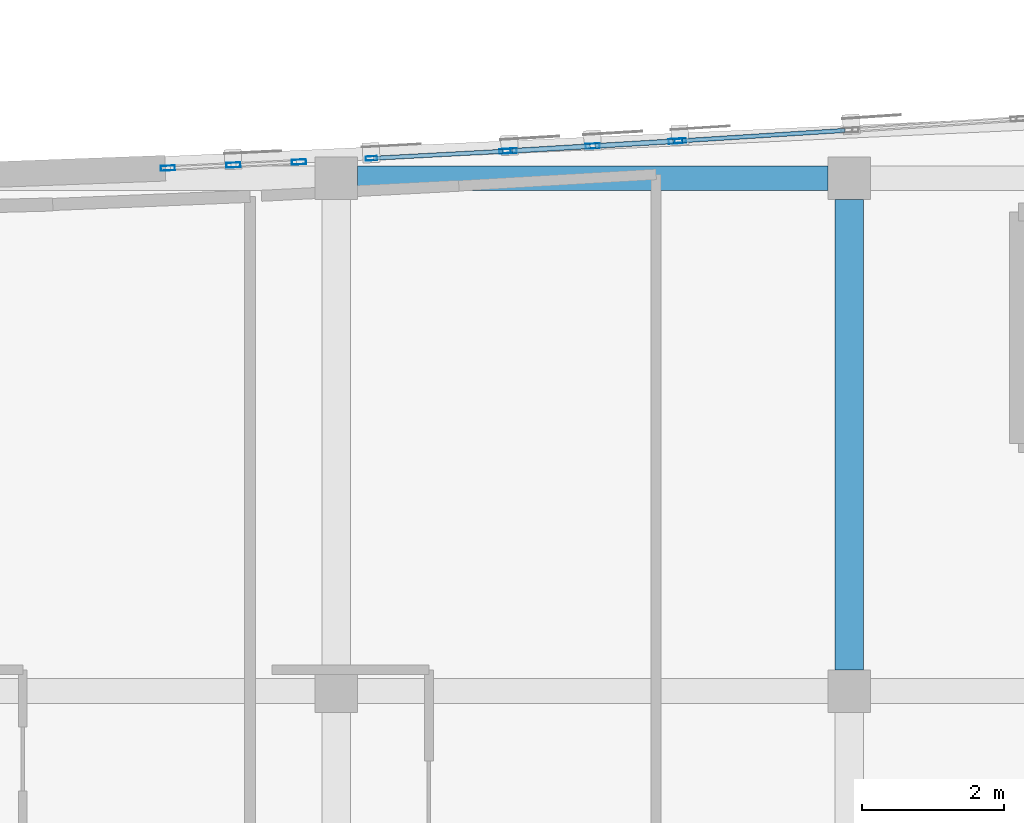
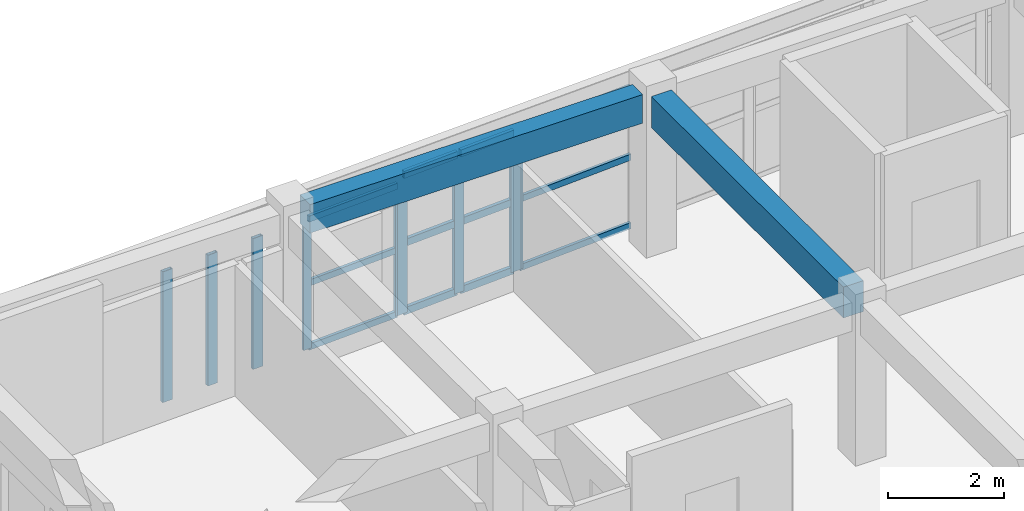
# One storey, part 6 of 51: 21 members, 2 beams, 4 elements without a shape of their own.
"""IFC4 building model written with IfcOpenShell, lengths in metres."""

from ifc_helpers import new_model, si_unit, direction, frame, origin, origin_2d, place, context, subcontext, project, spatial, rectangle, hollow_rectangle, extrude, material, layer, layer_set, material_profile, profile_set, type_object, element, aggregate, save


model = new_model("IFC4")

# Units and contexts
model_context = context("Model", 3, precision=1e-05, world=origin(), true_north=direction((0.0, 1.0)))
body_context = subcontext(model_context, "Body", "Model", "MODEL_VIEW")
ifc_project = project(units=[si_unit("LENGTHUNIT", "METRE"), si_unit("AREAUNIT", "SQUARE_METRE"), si_unit("VOLUMEUNIT", "CUBIC_METRE"), si_unit("PLANEANGLEUNIT", "RADIAN"), si_unit("MASSUNIT", "GRAM", prefix="KILO")], contexts=[model_context])

# Site, building, storey
site_placement = place(None, origin())
site = spatial("IfcSite", under=ifc_project, at=site_placement, CompositionType="ELEMENT")
building_placement = place(site_placement, origin())
building = spatial("IfcBuilding", under=site, at=building_placement, Name="Carrowvane Square Congress Hotel", CompositionType="ELEMENT")
storey_placement = place(building_placement, frame((0.0, 0.0, 30.0)))
storey = spatial("IfcBuildingStorey", under=building, at=storey_placement, Name="L07", CompositionType="ELEMENT", Elevation=30.0)

# Beams
ifc_material_1 = material(Name="Concrete C35/45", Category="concrete")
ifc_material_profile_1 = material_profile(ifc_material_1, rectangle(XDim=0.35009765625, YDim=0.60009765625, at=origin_2d()), Name="RC 350x600")
ifc_profile_set_1 = profile_set([ifc_material_profile_1], Name="Concrete C35/45")
beam_type_1 = type_object("IfcBeamType", Name="BM-RC-350x600", PredefinedType="BEAM", material=ifc_profile_set_1)
beam_1_placement = place(storey_placement, frame((40.699951171875, 113.39990234375, 3.06005859375), z_axis=(1.0, 0.0, 0.0), x_axis=(0.0, 1.0, 0.0)))
element("IfcBeam", 1, at=beam_1_placement, inside=storey, type_object=beam_type_1, Name="L08 girder R/5-6", PredefinedType="BEAM", context=body_context, shape_type="SweptSolid", body=[
    extrude(rectangle(XDim=0.35009765625, YDim=0.60009765625, at=origin_2d()), origin(), (0.0, 0.0, 1.0), 6.60009765625),
])
ifc_material_2 = material(Name="Concrete C35/45", Category="concrete")
ifc_material_profile_2 = material_profile(ifc_material_2, rectangle(XDim=0.39990234375, YDim=0.64990234375, at=origin_2d()), Name="RC 400x650")
ifc_profile_set_2 = profile_set([ifc_material_profile_2], Name="Concrete C35/45")
beam_type_2 = type_object("IfcBeamType", Name="BM-RC-400x650", PredefinedType="BEAM", material=ifc_profile_set_2)
beam_2_placement = place(storey_placement, frame((47.60009765625, 106.5, 3.034912109375), z_axis=(0.0, 1.0, 0.0), x_axis=(-1.0, 0.0, 0.0)))
element("IfcBeam", 2, at=beam_2_placement, inside=storey, type_object=beam_type_2, Name="L08 girder 6/Q-R", PredefinedType="BEAM", context=body_context, shape_type="SweptSolid", body=[
    extrude(rectangle(XDim=0.39990234375, YDim=0.64990234375, at=origin_2d()), origin(), (0.0, 0.0, 1.0), 6.60009765625),
])

# Curtain wall, members
ifc_material_3 = material(Name="Anodised aluminium", Category="aluminium")
ifc_layer_1 = layer(ifc_material_3, 0.162109375)
ifc_layer_set_1 = layer_set([ifc_layer_1], Name="Anodised aluminium")
curtain_wall_type_1 = type_object("IfcCurtainWallType", Name="CW-SYS-1", PredefinedType="NOTDEFINED", material=ifc_layer_set_1)
curtain_wall_1_placement = place(storey_placement, origin())
curtain_wall_1 = element("IfcCurtainWall", 3, at=curtain_wall_1_placement, inside=storey, type_object=curtain_wall_type_1, Name="L07 unitised curtain wall 408", PredefinedType="NOTDEFINED")
ifc_material_4 = material(Name="Anodised aluminium", Category="aluminium")
ifc_material_profile_3 = material_profile(ifc_material_4, hollow_rectangle(XDim=0.06005859375, YDim=0.159912109375, WallThickness=0.00390625, at=origin_2d()), Name="CW-ML 60x160x4")
ifc_profile_set_3 = profile_set([ifc_material_profile_3], Name="Anodised aluminium")
member_type_1 = type_object("IfcMemberType", Name="CW-MUL-1", PredefinedType="MULLION", material=ifc_profile_set_3)
member_1_placement = place(storey_placement, frame((40.893310546875, 113.67919921875, 0.0), z_axis=(0.0, 0.0, 1.0), x_axis=(-0.053513817306, 0.998567109091, 0.0)))
member_1 = element("IfcMember", 4, at=member_1_placement, type_object=member_type_1, Name="CW-1 mullion 1", PredefinedType="MULLION", context=body_context, shape_type="SweptSolid", body=[
    extrude(hollow_rectangle(XDim=0.06005859375, YDim=0.159912109375, WallThickness=0.00390625, at=origin_2d()), origin(), (0.0, 0.0, 1.0), 2.7451171875),
])
member_2_placement = place(storey_placement, frame((42.77001953125, 113.77978515625, 0.0), z_axis=(0.0, 0.0, 1.0), x_axis=(-0.053513817306, 0.998567109091, 0.0)))
member_2 = element("IfcMember", 5, at=member_2_placement, type_object=member_type_1, Name="CW-1 mullion 2", PredefinedType="MULLION", context=body_context, shape_type="SweptSolid", body=[
    extrude(hollow_rectangle(XDim=0.06005859375, YDim=0.159912109375, WallThickness=0.00390625, at=origin_2d()), origin(), (0.0, 0.0, 1.0), 2.7451171875),
])

# Curtain wall, member
ifc_material_5 = material(Name="Anodised aluminium", Category="aluminium")
ifc_layer_2 = layer(ifc_material_5, 0.18603515625)
ifc_layer_set_2 = layer_set([ifc_layer_2], Name="Anodised aluminium")
curtain_wall_type_2 = type_object("IfcCurtainWallType", Name="CW-SYS-3", PredefinedType="NOTDEFINED", material=ifc_layer_set_2)
curtain_wall_2_placement = place(storey_placement, origin())
curtain_wall_2 = element("IfcCurtainWall", 6, at=curtain_wall_2_placement, inside=storey, type_object=curtain_wall_type_2, Name="L07 unitised curtain wall 410", PredefinedType="NOTDEFINED")
member_3_placement = place(storey_placement, frame((45.22998046875, 113.925048828125, 0.0), z_axis=(0.0, 0.0, 1.0), x_axis=(-0.063273487972, 0.997996225303, 0.0)))
member_3 = element("IfcMember", 7, at=member_3_placement, type_object=member_type_1, Name="CW-3 mullion 1", PredefinedType="MULLION", context=body_context, shape_type="SweptSolid", body=[
    extrude(hollow_rectangle(XDim=0.06005859375, YDim=0.159912109375, WallThickness=0.00390625, at=origin_2d()), origin(), (0.0, 0.0, 1.0), 2.935546875),
])

# Curtain wall, members
ifc_material_6 = material(Name="Anodised aluminium", Category="aluminium")
ifc_layer_3 = layer(ifc_material_6, 0.24609375)
ifc_layer_set_3 = layer_set([ifc_layer_3], Name="Anodised aluminium")
curtain_wall_type_3 = type_object("IfcCurtainWallType", Name="CW-SYS-8", PredefinedType="NOTDEFINED", material=ifc_layer_set_3)
curtain_wall_3_placement = place(storey_placement, origin())
curtain_wall_3 = element("IfcCurtainWall", 8, at=curtain_wall_3_placement, inside=storey, type_object=curtain_wall_type_3, Name="L07 unitised curtain wall 407", PredefinedType="NOTDEFINED")
ifc_material_7 = material(Name="Anodised aluminium", Category="aluminium")
ifc_material_profile_4 = material_profile(ifc_material_7, hollow_rectangle(XDim=0.070068359375, YDim=0.199951171875, WallThickness=0.0048828125, at=origin_2d()), Name="CW-ML 70x200x5")
ifc_profile_set_4 = profile_set([ifc_material_profile_4], Name="Anodised aluminium")
member_type_2 = type_object("IfcMemberType", Name="CW-MUL-2", PredefinedType="MULLION", material=ifc_profile_set_4)
member_4_placement = place(storey_placement, frame((38.034912109375, 113.54248046875, 0.0), z_axis=(0.0, 0.0, 1.0), x_axis=(-0.046522035775, 0.998917263935, 0.0)))
member_4 = element("IfcMember", 9, at=member_4_placement, type_object=member_type_2, Name="CW-8 mullion 1", PredefinedType="MULLION", context=body_context, shape_type="SweptSolid", body=[
    extrude(hollow_rectangle(XDim=0.070068359375, YDim=0.199951171875, WallThickness=0.0048828125, at=origin_2d()), origin(), (0.0, 0.0, 1.0), 2.7451171875),
])
member_5_placement = place(storey_placement, frame((38.955810546875, 113.58544921875, 0.0), z_axis=(0.0, 0.0, 1.0), x_axis=(-0.046522035775, 0.998917263935, 0.0)))
member_5 = element("IfcMember", 10, at=member_5_placement, type_object=member_type_2, Name="CW-8 mullion 2", PredefinedType="MULLION", context=body_context, shape_type="SweptSolid", body=[
    extrude(hollow_rectangle(XDim=0.070068359375, YDim=0.199951171875, WallThickness=0.0048828125, at=origin_2d()), origin(), (0.0, 0.0, 1.0), 2.7451171875),
])
member_6_placement = place(storey_placement, frame((39.87646484375, 113.62841796875, 0.0), z_axis=(0.0, 0.0, 1.0), x_axis=(-0.046522035775, 0.998917263935, 0.0)))
member_6 = element("IfcMember", 11, at=member_6_placement, type_object=member_type_2, Name="CW-8 mullion 3", PredefinedType="MULLION", context=body_context, shape_type="SweptSolid", body=[
    extrude(hollow_rectangle(XDim=0.070068359375, YDim=0.199951171875, WallThickness=0.0048828125, at=origin_2d()), origin(), (0.0, 0.0, 1.0), 2.7451171875),
])
aggregate(curtain_wall_3, [member_4, member_5, member_6])

ifc_material_8 = material(Name="Anodised aluminium", Category="aluminium")
ifc_layer_4 = layer(ifc_material_8, 0.174072265625)
ifc_layer_set_4 = layer_set([ifc_layer_4], Name="Anodised aluminium")
curtain_wall_type_4 = type_object("IfcCurtainWallType", Name="CW-SYS-2", PredefinedType="NOTDEFINED", material=ifc_layer_set_4)
curtain_wall_4_placement = place(storey_placement, origin())
curtain_wall_4 = element("IfcCurtainWall", 12, at=curtain_wall_4_placement, inside=storey, type_object=curtain_wall_type_4, Name="L07 unitised curtain wall 409", PredefinedType="NOTDEFINED")
member_7_placement = place(storey_placement, frame((42.8349609375, 113.783447265625, 0.0), z_axis=(0.0, 0.0, 1.0), x_axis=(-0.058988522254, 0.99825866099, 0.0)))
member_7 = element("IfcMember", 13, at=member_7_placement, type_object=member_type_2, Name="CW-2 mullion 1", PredefinedType="MULLION", context=body_context, shape_type="SweptSolid", body=[
    extrude(hollow_rectangle(XDim=0.070068359375, YDim=0.199951171875, WallThickness=0.0048828125, at=origin_2d()), origin(), (0.0, 0.0, 1.0), 2.935546875),
])
member_8_placement = place(storey_placement, frame((44.0, 113.852294921875, 0.0), z_axis=(0.0, 0.0, 1.0), x_axis=(-0.058988522254, 0.99825866099, 0.0)))
member_8 = element("IfcMember", 14, at=member_8_placement, type_object=member_type_2, Name="CW-2 mullion 2", PredefinedType="MULLION", context=body_context, shape_type="SweptSolid", body=[
    extrude(hollow_rectangle(XDim=0.070068359375, YDim=0.199951171875, WallThickness=0.0048828125, at=origin_2d()), origin(), (0.0, 0.0, 1.0), 2.935546875),
])
member_9_placement = place(storey_placement, frame((45.1650390625, 113.921142578125, 0.0), z_axis=(0.0, 0.0, 1.0), x_axis=(-0.058988522254, 0.99825866099, 0.0)))
member_9 = element("IfcMember", 15, at=member_9_placement, type_object=member_type_2, Name="CW-2 mullion 3", PredefinedType="MULLION", context=body_context, shape_type="SweptSolid", body=[
    extrude(hollow_rectangle(XDim=0.070068359375, YDim=0.199951171875, WallThickness=0.0048828125, at=origin_2d()), origin(), (0.0, 0.0, 1.0), 2.935546875),
])

# Member
ifc_material_9 = material(Name="Anodised aluminium", Category="aluminium")
ifc_material_profile_5 = material_profile(ifc_material_9, hollow_rectangle(XDim=0.06005859375, YDim=0.1298828125, WallThickness=0.00390625, at=origin_2d()), Name="CW-TR 60x130x4")
ifc_profile_set_5 = profile_set([ifc_material_profile_5], Name="Anodised aluminium")
member_type_3 = type_object("IfcMemberType", Name="CW-TRN-1", PredefinedType="USERDEFINED", material=ifc_profile_set_5)
member_10_placement = place(storey_placement, frame((40.923095703125, 113.6806640625, 0.030029296875), z_axis=(0.998565827462, 0.053537727111, 0.0), x_axis=(-0.053537727111, 0.998565827462, 0.0)))
member_10 = element("IfcMember", 16, at=member_10_placement, type_object=member_type_3, Name="CW-1 transom 1.1", ObjectType="TRANSOM", PredefinedType="USERDEFINED", context=body_context, shape_type="SweptSolid", body=[
    extrude(hollow_rectangle(XDim=0.06005859375, YDim=0.1298828125, WallThickness=0.00390625, at=origin_2d()), origin(), (0.0, 0.0, 1.0), 1.819580078125),
])

member_11_placement = place(storey_placement, frame((40.923095703125, 113.6806640625, 1.37255859375), z_axis=(0.998565827462, 0.053537727111, 0.0), x_axis=(-0.053537727111, 0.998565827462, 0.0)))
member_11 = element("IfcMember", 17, at=member_11_placement, type_object=member_type_3, Name="CW-1 transom 1.2", ObjectType="TRANSOM", PredefinedType="USERDEFINED", context=body_context, shape_type="SweptSolid", body=[
    extrude(hollow_rectangle(XDim=0.06005859375, YDim=0.1298828125, WallThickness=0.00390625, at=origin_2d()), origin(), (0.0, 0.0, 1.0), 1.819580078125),
])

member_12_placement = place(storey_placement, frame((40.923095703125, 113.6806640625, 2.715087890625), z_axis=(0.998565827462, 0.053537727111, 0.0), x_axis=(-0.053537727111, 0.998565827462, 0.0)))
member_12 = element("IfcMember", 18, at=member_12_placement, type_object=member_type_3, Name="CW-1 transom 1.3", ObjectType="TRANSOM", PredefinedType="USERDEFINED", context=body_context, shape_type="SweptSolid", body=[
    extrude(hollow_rectangle(XDim=0.06005859375, YDim=0.1298828125, WallThickness=0.00390625, at=origin_2d()), origin(), (0.0, 0.0, 1.0), 1.819580078125),
])

aggregate(curtain_wall_1, [member_1, member_2, member_10, member_11, member_12])

member_13_placement = place(storey_placement, frame((45.259765625, 113.927001953125, 0.030029296875), z_axis=(0.997997311039, 0.063256360614, 0.0), x_axis=(-0.063256360614, 0.997997311039, 0.0)))
member_13 = element("IfcMember", 19, at=member_13_placement, type_object=member_type_3, Name="CW-3 transom 1.1", ObjectType="TRANSOM", PredefinedType="USERDEFINED", context=body_context, shape_type="SweptSolid", body=[
    extrude(hollow_rectangle(XDim=0.06005859375, YDim=0.1298828125, WallThickness=0.00390625, at=origin_2d()), origin(), (0.0, 0.0, 1.0), 2.284912109375),
])

member_14_placement = place(storey_placement, frame((45.259765625, 113.927001953125, 1.4677734375), z_axis=(0.997997311039, 0.063256360614, 0.0), x_axis=(-0.063256360614, 0.997997311039, 0.0)))
member_14 = element("IfcMember", 20, at=member_14_placement, type_object=member_type_3, Name="CW-3 transom 1.2", ObjectType="TRANSOM", PredefinedType="USERDEFINED", context=body_context, shape_type="SweptSolid", body=[
    extrude(hollow_rectangle(XDim=0.06005859375, YDim=0.1298828125, WallThickness=0.00390625, at=origin_2d()), origin(), (0.0, 0.0, 1.0), 2.284912109375),
])

member_15_placement = place(storey_placement, frame((45.259765625, 113.927001953125, 2.905517578125), z_axis=(0.997997311039, 0.063256360614, 0.0), x_axis=(-0.063256360614, 0.997997311039, 0.0)))
member_15 = element("IfcMember", 21, at=member_15_placement, type_object=member_type_3, Name="CW-3 transom 1.3", ObjectType="TRANSOM", PredefinedType="USERDEFINED", context=body_context, shape_type="SweptSolid", body=[
    extrude(hollow_rectangle(XDim=0.06005859375, YDim=0.1298828125, WallThickness=0.00390625, at=origin_2d()), origin(), (0.0, 0.0, 1.0), 2.284912109375),
])

aggregate(curtain_wall_2, [member_3, member_13, member_14, member_15])

ifc_material_10 = material(Name="Anodised aluminium", Category="aluminium")
ifc_material_profile_6 = material_profile(ifc_material_10, hollow_rectangle(XDim=0.070068359375, YDim=0.14990234375, WallThickness=0.0048828125, at=origin_2d()), Name="CW-TR 70x150x5")
ifc_profile_set_6 = profile_set([ifc_material_profile_6], Name="Anodised aluminium")
member_type_4 = type_object("IfcMemberType", Name="CW-TRN-2", PredefinedType="USERDEFINED", material=ifc_profile_set_6)
member_16_placement = place(storey_placement, frame((42.869873046875, 113.785400390625, 0.034912109375), z_axis=(0.998259762999, 0.058969870084, 0.0), x_axis=(-0.058969870084, 0.998259762999, 0.0)))
member_16 = element("IfcMember", 22, at=member_16_placement, type_object=member_type_4, Name="CW-2 transom 1.1", ObjectType="TRANSOM", PredefinedType="USERDEFINED", context=body_context, shape_type="SweptSolid", body=[
    extrude(hollow_rectangle(XDim=0.070068359375, YDim=0.14990234375, WallThickness=0.0048828125, at=origin_2d()), origin(), (0.0, 0.0, 1.0), 1.09716796875),
])

member_17_placement = place(storey_placement, frame((42.869873046875, 113.785400390625, 1.4677734375), z_axis=(0.998259762999, 0.058969870084, 0.0), x_axis=(-0.058969870084, 0.998259762999, 0.0)))
member_17 = element("IfcMember", 23, at=member_17_placement, type_object=member_type_4, Name="CW-2 transom 1.2", ObjectType="TRANSOM", PredefinedType="USERDEFINED", context=body_context, shape_type="SweptSolid", body=[
    extrude(hollow_rectangle(XDim=0.070068359375, YDim=0.14990234375, WallThickness=0.0048828125, at=origin_2d()), origin(), (0.0, 0.0, 1.0), 1.09716796875),
])

member_18_placement = place(storey_placement, frame((42.869873046875, 113.785400390625, 2.900634765625), z_axis=(0.998259762999, 0.058969870084, 0.0), x_axis=(-0.058969870084, 0.998259762999, 0.0)))
member_18 = element("IfcMember", 24, at=member_18_placement, type_object=member_type_4, Name="CW-2 transom 1.3", ObjectType="TRANSOM", PredefinedType="USERDEFINED", context=body_context, shape_type="SweptSolid", body=[
    extrude(hollow_rectangle(XDim=0.070068359375, YDim=0.14990234375, WallThickness=0.0048828125, at=origin_2d()), origin(), (0.0, 0.0, 1.0), 1.09716796875),
])

member_19_placement = place(storey_placement, frame((44.034912109375, 113.854248046875, 0.034912109375), z_axis=(0.998259762999, 0.058969870084, 0.0), x_axis=(-0.058969870084, 0.998259762999, 0.0)))
member_19 = element("IfcMember", 25, at=member_19_placement, type_object=member_type_4, Name="CW-2 transom 2.1", ObjectType="TRANSOM", PredefinedType="USERDEFINED", context=body_context, shape_type="SweptSolid", body=[
    extrude(hollow_rectangle(XDim=0.070068359375, YDim=0.14990234375, WallThickness=0.0048828125, at=origin_2d()), origin(), (0.0, 0.0, 1.0), 1.09716796875),
])

member_20_placement = place(storey_placement, frame((44.034912109375, 113.854248046875, 1.4677734375), z_axis=(0.998259762999, 0.058969870084, 0.0), x_axis=(-0.058969870084, 0.998259762999, 0.0)))
member_20 = element("IfcMember", 26, at=member_20_placement, type_object=member_type_4, Name="CW-2 transom 2.2", ObjectType="TRANSOM", PredefinedType="USERDEFINED", context=body_context, shape_type="SweptSolid", body=[
    extrude(hollow_rectangle(XDim=0.070068359375, YDim=0.14990234375, WallThickness=0.0048828125, at=origin_2d()), origin(), (0.0, 0.0, 1.0), 1.09716796875),
])

member_21_placement = place(storey_placement, frame((44.034912109375, 113.854248046875, 2.900634765625), z_axis=(0.998259762999, 0.058969870084, 0.0), x_axis=(-0.058969870084, 0.998259762999, 0.0)))
member_21 = element("IfcMember", 27, at=member_21_placement, type_object=member_type_4, Name="CW-2 transom 2.3", ObjectType="TRANSOM", PredefinedType="USERDEFINED", context=body_context, shape_type="SweptSolid", body=[
    extrude(hollow_rectangle(XDim=0.070068359375, YDim=0.14990234375, WallThickness=0.0048828125, at=origin_2d()), origin(), (0.0, 0.0, 1.0), 1.09716796875),
])

aggregate(curtain_wall_4, [member_7, member_8, member_9, member_16, member_17, member_18, member_19, member_20, member_21])

save(model, "model.ifc")
